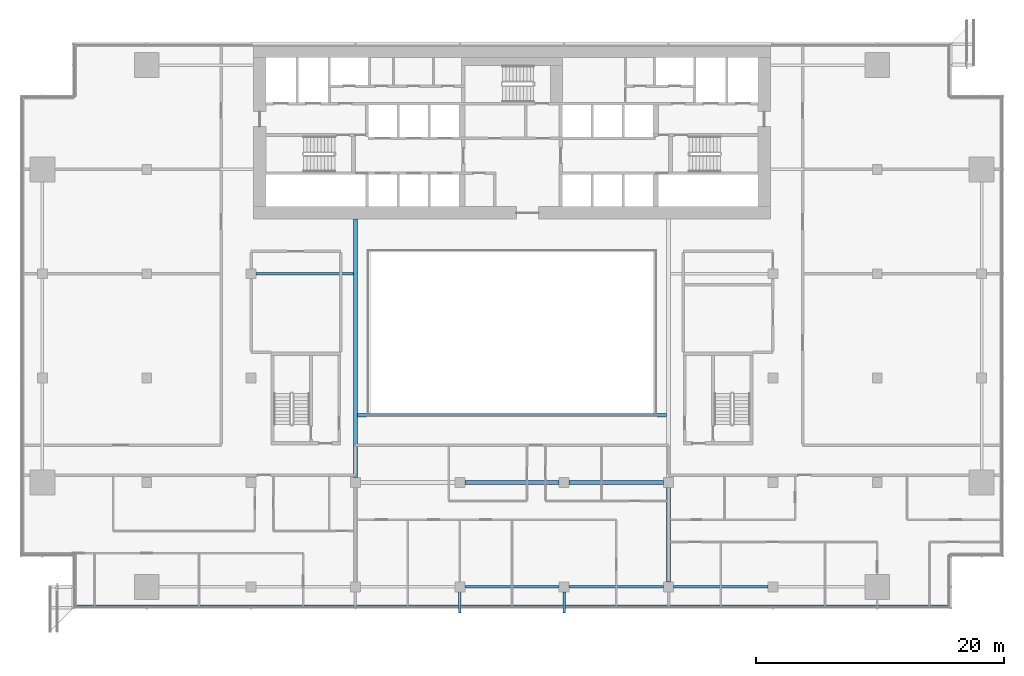
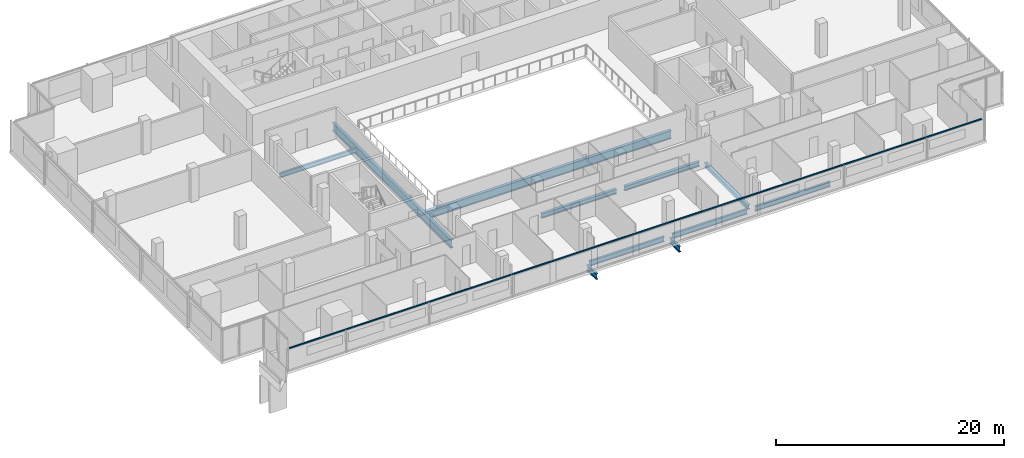
# One storey, part 7 of 26: 11 beams, 1 member, 1 element without a shape of its own.
"""IFC4 building model written with IfcOpenShell, lengths in metres."""

from ifc_helpers import new_model, si_unit, direction, frame, origin, origin_2d, place, context, subcontext, project, spatial, rectangle, i_section, extrude, material, material_profile, profile_set, type_object, element, aggregate, save


model = new_model("IFC4")

# Units and contexts
model_context = context("Model", 3, precision=1e-05, world=origin(), true_north=direction((0.0, 1.0)))
body_context = subcontext(model_context, "Body", "Model", "MODEL_VIEW")
ifc_project = project(units=[si_unit("LENGTHUNIT", "METRE"), si_unit("AREAUNIT", "SQUARE_METRE"), si_unit("VOLUMEUNIT", "CUBIC_METRE"), si_unit("PLANEANGLEUNIT", "RADIAN"), si_unit("MASSUNIT", "GRAM", prefix="KILO")], contexts=[model_context])

# Site, building, storey
site_placement = place(None, origin())
site = spatial("IfcSite", under=ifc_project, at=site_placement, CompositionType="ELEMENT")
building_placement = place(site_placement, origin())
building = spatial("IfcBuilding", under=site, at=building_placement, Name="Saffron Gate Tower", CompositionType="ELEMENT")
storey_placement = place(building_placement, frame((0.0, 0.0, 138.449951171875)))
storey = spatial("IfcBuildingStorey", under=building, at=storey_placement, Name="L33", CompositionType="ELEMENT", Elevation=138.449951171875)

# Beams
ifc_material_1 = material(Name="Structural steel S355", Category="steel")
ifc_material_profile_1 = material_profile(ifc_material_1, i_section(OverallWidth=0.199951171875, OverallDepth=0.5, WebThickness=0.01025390625, FlangeThickness=0.01611328125, FilletRadius=0.02099609375, at=origin_2d()))
ifc_profile_set_1 = profile_set([ifc_material_profile_1], Name="Structural steel S355")
beam_type_1 = type_object("IfcBeamType", Name="B10 IPE 500", PredefinedType="BEAM", material=ifc_profile_set_1)
beam_1_placement = place(storey_placement, frame((67.0, 57.0, -0.530029296875), z_axis=(1.0, 0.0, 0.0), x_axis=(0.0, 1.0, 0.0)))
element("IfcBeam", 1, at=beam_1_placement, inside=storey, type_object=beam_type_1, Name="B10 CORE TIE BEAM", PredefinedType="BEAM", context=body_context, shape_type="SweptSolid", body=[
    extrude(i_section(OverallWidth=0.199951171875, OverallDepth=0.5, WebThickness=0.01025390625, FlangeThickness=0.01611328125, FilletRadius=0.02099609375, at=origin_2d()), origin(), (0.0, 0.0, 1.0), 7.85009765625),
])
ifc_material_profile_2 = material_profile(ifc_material_1, i_section(OverallWidth=0.2099609375, OverallDepth=0.550048828125, WebThickness=0.010986328125, FlangeThickness=0.01708984375, FilletRadius=0.02392578125, at=origin_2d()))
ifc_profile_set_2 = profile_set([ifc_material_profile_2], Name="Structural steel S355")
beam_type_2 = type_object("IfcBeamType", Name="B13 IPE 550", PredefinedType="SPANDREL", material=ifc_profile_set_2)
beam_2_placement = place(storey_placement, frame((83.800048828125, 31.800048828125, -0.554931640625), z_axis=(1.0, 0.0, 0.0), x_axis=(0.0, 1.0, 0.0)))
element("IfcBeam", 2, at=beam_2_placement, inside=storey, type_object=beam_type_2, Name="B13 SPANDREL BEAM", PredefinedType="SPANDREL", context=body_context, shape_type="SweptSolid", body=[
    extrude(i_section(OverallWidth=0.2099609375, OverallDepth=0.550048828125, WebThickness=0.010986328125, FlangeThickness=0.01708984375, FilletRadius=0.02392578125, at=origin_2d()), origin(), (0.0, 0.0, 1.0), 7.599853515625),
])
beam_3_placement = place(storey_placement, frame((92.199951171875, 31.800048828125, -0.554931640625), z_axis=(1.0, 0.0, 0.0), x_axis=(0.0, 1.0, 0.0)))
element("IfcBeam", 3, at=beam_3_placement, inside=storey, type_object=beam_type_2, Name="B13 SPANDREL BEAM", PredefinedType="SPANDREL", context=body_context, shape_type="SweptSolid", body=[
    extrude(i_section(OverallWidth=0.2099609375, OverallDepth=0.550048828125, WebThickness=0.010986328125, FlangeThickness=0.01708984375, FilletRadius=0.02392578125, at=origin_2d()), origin(), (0.0, 0.0, 1.0), 7.60009765625),
])
beam_4_placement = place(storey_placement, frame((100.60009765625, 31.800048828125, -0.554931640625), z_axis=(1.0, 0.0, 0.0), x_axis=(0.0, 1.0, 0.0)))
element("IfcBeam", 4, at=beam_4_placement, inside=storey, type_object=beam_type_2, Name="B13 SPANDREL BEAM", PredefinedType="SPANDREL", context=body_context, shape_type="SweptSolid", body=[
    extrude(i_section(OverallWidth=0.2099609375, OverallDepth=0.550048828125, WebThickness=0.010986328125, FlangeThickness=0.01708984375, FilletRadius=0.02392578125, at=origin_2d()), origin(), (0.0, 0.0, 1.0), 7.599853515625),
])
ifc_material_profile_3 = material_profile(ifc_material_1, i_section(OverallWidth=0.219970703125, OverallDepth=0.60009765625, WebThickness=0.011962890625, FlangeThickness=0.01904296875, FilletRadius=0.02392578125, at=origin_2d()))
ifc_profile_set_3 = profile_set([ifc_material_profile_3], Name="Structural steel S355")
beam_type_3 = type_object("IfcBeamType", Name="B15 IPE 600", PredefinedType="BEAM", material=ifc_profile_set_3)
for number, where, z_axis, x_axis, name in (
    (5, (83.39990234375, 29.699951171875, -0.579833984375), (0.0, 1.0, 0.0), (-1.0, 0.0, 0.0), "B15 POOL STRUT BRACKET BEAM"),
    (6, (91.800048828125, 29.699951171875, -0.579833984375), (0.0, 1.0, 0.0), (-1.0, 0.0, 0.0), "B15 POOL STRUT BRACKET BEAM"),
):
    element("IfcBeam", number, at=place(storey_placement, frame(where, z_axis=z_axis, x_axis=x_axis)), inside=storey, type_object=beam_type_3, Name=name, PredefinedType="BEAM", context=body_context, shape_type="SweptSolid", body=[
        extrude(i_section(OverallWidth=0.219970703125, OverallDepth=0.60009765625, WebThickness=0.011962890625, FlangeThickness=0.01904296875, FilletRadius=0.02392578125, at=origin_2d()), origin(), (0.0, 0.0, 1.0), 1.699951171875),
    ])
ifc_material_profile_4 = material_profile(ifc_material_1, i_section(OverallWidth=0.300048828125, OverallDepth=0.889892578125, WebThickness=0.01611328125, FlangeThickness=0.030029296875, FilletRadius=0.030029296875, at=origin_2d()))
ifc_profile_set_4 = profile_set([ifc_material_profile_4], Name="Structural steel S355")
beam_type_4 = type_object("IfcBeamType", Name="B19 HEA 900", PredefinedType="BEAM", material=ifc_profile_set_4)
beam_5_placement = place(storey_placement, frame((75.0, 40.60009765625, -0.724853515625), z_axis=(0.0, 1.0, 0.0), x_axis=(-1.0, 0.0, 0.0)))
element("IfcBeam", 7, at=beam_5_placement, inside=storey, type_object=beam_type_4, Name="B19 ATRIUM GIRDER", PredefinedType="BEAM", context=body_context, shape_type="SweptSolid", body=[
    extrude(i_section(OverallWidth=0.300048828125, OverallDepth=0.889892578125, WebThickness=0.01611328125, FlangeThickness=0.030029296875, FilletRadius=0.030029296875, at=origin_2d()), origin(), (0.0, 0.0, 1.0), 20.7998046875),
])
beam_6_placement = place(storey_placement, frame((75.14990234375, 45.60009765625, -0.724853515625), z_axis=(1.0, 0.0, 0.0), x_axis=(0.0, 1.0, 0.0)))
element("IfcBeam", 8, at=beam_6_placement, inside=storey, type_object=beam_type_4, Name="B19 ATRIUM GIRDER", PredefinedType="BEAM", context=body_context, shape_type="SweptSolid", body=[
    extrude(i_section(OverallWidth=0.300048828125, OverallDepth=0.889892578125, WebThickness=0.01611328125, FlangeThickness=0.030029296875, FilletRadius=0.030029296875, at=origin_2d()), origin(), (0.0, 0.0, 1.0), 24.900146484375),
])
ifc_material_profile_5 = material_profile(ifc_material_1, i_section(OverallWidth=0.300048828125, OverallDepth=0.489990234375, WebThickness=0.011962890625, FlangeThickness=0.02294921875, FilletRadius=0.027099609375, at=origin_2d()))
ifc_profile_set_5 = profile_set([ifc_material_profile_5], Name="Structural steel S355")
beam_type_5 = type_object("IfcBeamType", Name="B8 HEA 500", PredefinedType="BEAM", material=ifc_profile_set_5)
beam_7_placement = place(storey_placement, frame((100.199951171875, 32.199951171875, -0.52490234375), z_axis=(0.0, 1.0, 0.0), x_axis=(-1.0, 0.0, 0.0)))
element("IfcBeam", 9, at=beam_7_placement, inside=storey, type_object=beam_type_5, Name="B8 FLOOR GIRDER", PredefinedType="BEAM", context=body_context, shape_type="SweptSolid", body=[
    extrude(i_section(OverallWidth=0.300048828125, OverallDepth=0.489990234375, WebThickness=0.011962890625, FlangeThickness=0.02294921875, FilletRadius=0.027099609375, at=origin_2d()), origin(), (0.0, 0.0, 1.0), 7.60009765625),
])
beam_8_placement = place(storey_placement, frame((83.800048828125, 40.199951171875, -0.52490234375), z_axis=(1.0, 0.0, 0.0), x_axis=(0.0, 1.0, 0.0)))
element("IfcBeam", 10, at=beam_8_placement, inside=storey, type_object=beam_type_5, Name="B8 FLOOR GIRDER", PredefinedType="BEAM", context=body_context, shape_type="SweptSolid", body=[
    extrude(i_section(OverallWidth=0.300048828125, OverallDepth=0.489990234375, WebThickness=0.011962890625, FlangeThickness=0.02294921875, FilletRadius=0.027099609375, at=origin_2d()), origin(), (0.0, 0.0, 1.0), 7.599853515625),
])
beam_9_placement = place(storey_placement, frame((92.199951171875, 40.199951171875, -0.52490234375), z_axis=(1.0, 0.0, 0.0), x_axis=(0.0, 1.0, 0.0)))
element("IfcBeam", 11, at=beam_9_placement, inside=storey, type_object=beam_type_5, Name="B8 FLOOR GIRDER", PredefinedType="BEAM", context=body_context, shape_type="SweptSolid", body=[
    extrude(i_section(OverallWidth=0.300048828125, OverallDepth=0.489990234375, WebThickness=0.011962890625, FlangeThickness=0.02294921875, FilletRadius=0.027099609375, at=origin_2d()), origin(), (0.0, 0.0, 1.0), 7.60009765625),
])

# Curtain wall, member
ifc_material_2 = material(Name="Aluminium, bronze anodised", Category="aluminium")
curtain_wall_type = type_object("IfcCurtainWallType", Name="CWS1 curtain wall front facade", PredefinedType="NOTDEFINED", material=ifc_material_2)
curtain_wall_placement = place(storey_placement, origin())
curtain_wall = element("IfcCurtainWall", 12, at=curtain_wall_placement, inside=storey, type_object=curtain_wall_type, Name="CWS1 run 1", PredefinedType="NOTDEFINED")
ifc_material_profile_6 = material_profile(ifc_material_2, rectangle(XDim=0.1201171875, YDim=0.1201171875, at=origin_2d()))
ifc_profile_set_6 = profile_set([ifc_material_profile_6], Name="Aluminium, bronze anodised")
member_type = type_object("IfcMemberType", Name="CWS1 head transom", PredefinedType="USERDEFINED", material=ifc_profile_set_6)
member_placement = place(storey_placement, frame((52.568115234375, 30.248046875, 2.25), z_axis=(1.0, 0.0, 0.0), x_axis=(0.0, 1.0, 0.0)))
member = element("IfcMember", 13, at=member_placement, type_object=member_type, Name="CWS1 head transom", ObjectType="TRANSOM", PredefinedType="USERDEFINED", context=body_context, shape_type="SweptSolid", body=[
    extrude(rectangle(XDim=0.1201171875, YDim=0.1201171875, at=origin_2d()), origin(), (0.0, 0.0, 1.0), 70.06396484375),
])
aggregate(curtain_wall, [member])

save(model, "model.ifc")
